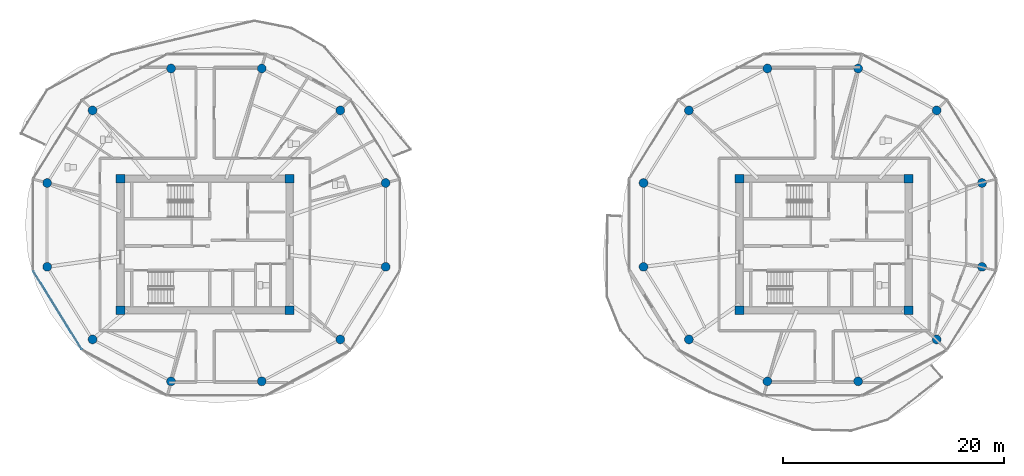
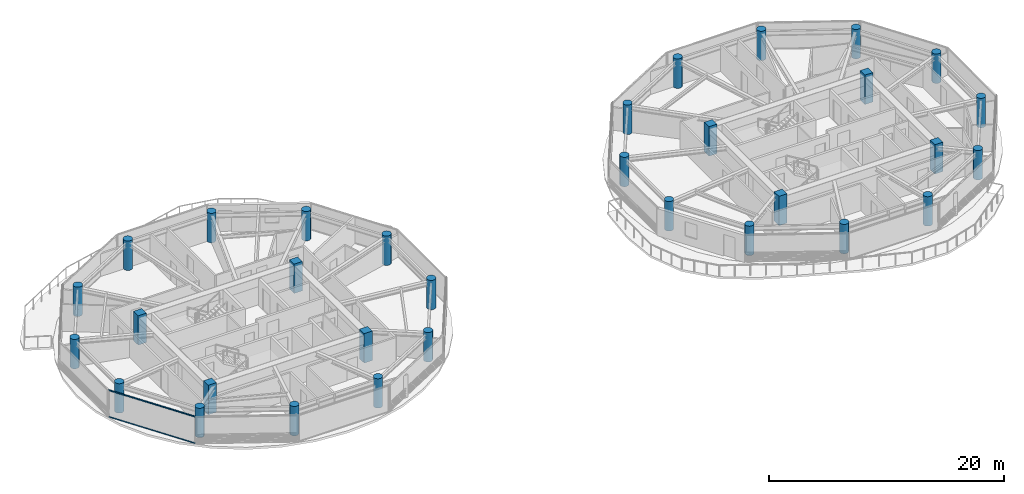
# One storey, part 1 of 21: 32 columns, 2 members, 1 element without a shape of its own.
"""IFC4 building model written with IfcOpenShell, lengths in metres."""

import ifcopenshell
import ifcopenshell.guid

model = None  # the IFC model being written
_history = None  # IfcOwnerHistory: only IFC2X3 demands one
_inside = {}  # id of a spatial element -> (the spatial element, [elements in it])
_under = {}  # id of a project, library or spatial element -> (it, [spatial elements below it])
_declared = {}  # id of a project -> (the project, [libraries it declares])
_typed = {}  # id of a type object -> (the type object, [elements of that type])
_made_of = {}  # id of a material, layer set ... -> (it, [elements and type objects made of it])


def new_model(schema):
    """Start an empty IFC model of exactly this schema.

    Asked for "IFC4X3", IfcOpenShell would pick the latest addendum, in which some entities
    have other attributes; the version numbers below select the first issue.
    IFC2X3 requires an IfcOwnerHistory on every rooted entity: one is made here for all.
    """
    global model, _history
    if schema == "IFC4X3":
        model = ifcopenshell.file(schema_version=(4, 3, 0, 0))
    else:
        model = ifcopenshell.file(schema=schema)
    _inside.clear()
    _under.clear()
    _declared.clear()
    _typed.clear()
    _made_of.clear()
    _history = None
    if model.schema == "IFC2X3":
        org = make("IfcOrganization", Name="unknown")
        user = make(
            "IfcPersonAndOrganization",
            ThePerson=make("IfcPerson", FamilyName="unknown"),
            TheOrganization=org,
        )
        app = make(
            "IfcApplication",
            ApplicationDeveloper=org,
            Version="unknown",
            ApplicationFullName="unknown",
            ApplicationIdentifier="unknown",
        )
        _history = make(
            "IfcOwnerHistory",
            OwningUser=user,
            OwningApplication=app,
            ChangeAction="ADDED",
            CreationDate=0,
        )
    return model


def make(cls, **values):
    """One entity of the class cls with the attributes given. An attribute that is None is left unset."""
    return model.create_entity(
        cls, **{name: value for name, value in values.items() if value is not None}
    )


def rooted(cls, **values):
    """An entity with a GlobalId (a new one), such as an element, a storey or a relation."""
    return make(cls, GlobalId=ifcopenshell.guid.new(), OwnerHistory=_history, **values)


def si_unit(unit_type, name, prefix=None):
    """IfcSIUnit, for example si_unit("LENGTHUNIT", "METRE", prefix="MILLI")."""
    return make("IfcSIUnit", UnitType=unit_type, Prefix=prefix, Name=name)


def assignment(units):
    """IfcUnitAssignment: the units of a project."""
    return None if units is None else make("IfcUnitAssignment", Units=units)


def point(xyz):
    """IfcCartesianPoint."""
    return None if xyz is None else make("IfcCartesianPoint", Coordinates=xyz)


def direction(xyz):
    """IfcDirection."""
    return None if xyz is None else make("IfcDirection", DirectionRatios=xyz)


def frame(location, z_axis=None, x_axis=None):
    """IfcAxis2Placement3D, a coordinate frame: its origin and axes. An axis left out is left unset."""
    return make(
        "IfcAxis2Placement3D",
        Location=point(location),
        Axis=direction(z_axis),
        RefDirection=direction(x_axis),
    )


def frame_2d(location, x_axis=None):
    """IfcAxis2Placement2D, a coordinate frame in the plane: its origin and x axis."""
    return make(
        "IfcAxis2Placement2D", Location=point(location), RefDirection=direction(x_axis)
    )


def origin():
    """The frame at (0, 0, 0) with its axes left unset."""
    return frame((0.0, 0.0, 0.0))


def origin_2d():
    """The frame at (0, 0) in the plane with its x axis left unset."""
    return frame_2d((0.0, 0.0))


def place(relative_to, where):
    """IfcLocalPlacement: puts the frame where relative to a parent placement (None: the world)."""
    return make(
        "IfcLocalPlacement", PlacementRelTo=relative_to, RelativePlacement=where
    )


def context(
    kind, dimensions, precision=None, world=None, true_north=None, identifier=None
):
    """IfcGeometricRepresentationContext, for example the 3D "Model" context."""
    return make(
        "IfcGeometricRepresentationContext",
        ContextIdentifier=identifier,
        ContextType=kind,
        CoordinateSpaceDimension=dimensions,
        Precision=precision,
        WorldCoordinateSystem=world,
        TrueNorth=true_north,
    )


def subcontext(parent, identifier, kind, view, scale=None):
    """IfcGeometricRepresentationSubContext, for example "Body" below "Model"."""
    return make(
        "IfcGeometricRepresentationSubContext",
        ContextIdentifier=identifier,
        ContextType=kind,
        ParentContext=parent,
        TargetScale=scale,
        TargetView=view,
    )


def project(units=None, contexts=None):
    """IfcProject with its units and contexts."""
    return rooted(
        "IfcProject",
        Name="project",
        RepresentationContexts=contexts,
        UnitsInContext=assignment(units),
    )


def spatial(cls, under=None, at=None, **own):
    """A site, building, storey or space (cls), placed at a placement, below another one or the project."""
    s = rooted(cls, ObjectPlacement=at, **own)
    if under is not None:
        _under.setdefault(under.id(), (under, []))[1].append(s)
    return s


def profile(cls, at=None, kind="AREA", **sizes):
    """A parametric profile (cls). Its sizes go by their IFC names, for example OverallWidth=200.0."""
    return make(cls, ProfileType=kind, Position=at, **sizes)


def rectangle(**sizes):
    """IfcRectangleProfileDef."""
    return profile("IfcRectangleProfileDef", **sizes)


def circle(**sizes):
    """IfcCircleProfileDef."""
    return profile("IfcCircleProfileDef", **sizes)


def extrude(swept, where, along, depth):
    """IfcExtrudedAreaSolid: the profile swept, set in the frame where, extruded along a direction by depth."""
    return make(
        "IfcExtrudedAreaSolid",
        SweptArea=swept,
        Position=where,
        ExtrudedDirection=direction(along),
        Depth=depth,
    )


def shape(context_of_items, identifier, shape_type, items):
    """IfcShapeRepresentation: the items that make up one representation, for example the "Body"."""
    return make(
        "IfcShapeRepresentation",
        ContextOfItems=context_of_items,
        RepresentationIdentifier=identifier,
        RepresentationType=shape_type,
        Items=items,
    )


def source(mapping_origin, context_of_items, identifier, shape_type, items):
    """IfcRepresentationMap: a shape defined once, which mapped items show again and again."""
    return make(
        "IfcRepresentationMap",
        MappingOrigin=mapping_origin,
        MappedRepresentation=shape(context_of_items, identifier, shape_type, items),
    )


def transform(
    local_origin,
    x_axis=None,
    y_axis=None,
    z_axis=None,
    scale=None,
    scale2=None,
    scale3=None,
    uniform=True,
):
    """IfcCartesianTransformationOperator3D, or its non-uniform kind. x_axis, y_axis, z_axis: its Axis1, 2, 3."""
    if uniform:
        return make(
            "IfcCartesianTransformationOperator3D",
            Axis1=direction(x_axis),
            Axis2=direction(y_axis),
            LocalOrigin=point(local_origin),
            Scale=scale,
            Axis3=direction(z_axis),
        )
    return make(
        "IfcCartesianTransformationOperator3DnonUniform",
        Axis1=direction(x_axis),
        Axis2=direction(y_axis),
        LocalOrigin=point(local_origin),
        Scale=scale,
        Axis3=direction(z_axis),
        Scale2=scale2,
        Scale3=scale3,
    )


def mapped(mapping_source, mapping_target):
    """IfcMappedItem: shows the shape of a source again, moved by a transform."""
    return make(
        "IfcMappedItem", MappingSource=mapping_source, MappingTarget=mapping_target
    )


def material(Name=None, Category=None):
    """IfcMaterial."""
    return make("IfcMaterial", Name=Name, Category=Category)


def layer(
    of_material, thickness, ventilated=None, Name=None, Category=None, Priority=None
):
    """IfcMaterialLayer: one layer of a wall or slab, of a material (None: an air gap)."""
    return make(
        "IfcMaterialLayer",
        Material=of_material,
        LayerThickness=thickness,
        IsVentilated=ventilated,
        Name=Name,
        Category=Category,
        Priority=Priority,
    )


def layer_set(layers, Name=None):
    """IfcMaterialLayerSet."""
    return make("IfcMaterialLayerSet", MaterialLayers=layers, LayerSetName=Name)


def material_profile(
    of_material, cross_section, Name=None, Category=None, Priority=None
):
    """IfcMaterialProfile: a cross section and its material."""
    return make(
        "IfcMaterialProfile",
        Name=Name,
        Material=of_material,
        Profile=cross_section,
        Priority=Priority,
        Category=Category,
    )


def profile_set(profiles, Name=None, composite=None):
    """IfcMaterialProfileSet."""
    return make(
        "IfcMaterialProfileSet",
        Name=Name,
        MaterialProfiles=profiles,
        CompositeProfile=composite,
    )


def made_of(thing, what):
    """Note that an element or type object is made of a material, layer set ...; save() writes the relation."""
    if what is not None:
        _made_of.setdefault(what.id(), (what, []))[1].append(thing)
    return thing


def type_object(cls, material=None, **own):
    """A type object (cls), such as IfcWallType, which elements share."""
    return made_of(rooted(cls, **own), material)


def type_shapes(of_type, sources):
    """Give a type object the sources (RepresentationMaps) that its elements show as mapped items."""
    of_type.RepresentationMaps = sources


def element(
    cls,
    number,
    at=None,
    inside=None,
    cuts=None,
    type_object=None,
    material=None,
    context=None,
    identifier="Body",
    shape_type=None,
    held_by="IfcProductDefinitionShape",
    body=None,
    shapes=None,
    **own,
):
    """One element of the class cls, such as IfcWall. Its Tag is "e" and its number.

    at: its placement. inside: the storey or other place that contains it. cuts: it is an
    opening in that element (IfcRelVoidsElement). A single representation is given by context,
    identifier, shape_type and body (its items); several are given by shapes. held_by: the class
    of the entity that holds the representations. save() writes the other relations.
    """
    e = rooted(cls, Tag="e%d" % number, ObjectPlacement=at, **own)
    if body is not None:
        shapes = [shape(context, identifier, shape_type, body)]
    if shapes is not None:
        e.Representation = make(held_by, Representations=shapes)
    if inside is not None:
        _inside.setdefault(inside.id(), (inside, []))[1].append(e)
    if cuts is not None:
        rooted(
            "IfcRelVoidsElement", RelatingBuildingElement=cuts, RelatedOpeningElement=e
        )
    if type_object is not None:
        _typed.setdefault(type_object.id(), (type_object, []))[1].append(e)
    return made_of(e, material)


def aggregate(whole, parts):
    """IfcRelAggregates: a whole, such as a stair, and the parts it consists of."""
    return rooted("IfcRelAggregates", RelatingObject=whole, RelatedObjects=parts)


def save(model, path):
    """Write the relations noted so far, then the file.

    IfcRelAggregates (storeys below a building ...), IfcRelContainedInSpatialStructure (elements
    in a storey), IfcRelDefinesByType, IfcRelAssociatesMaterial and IfcRelDeclares: one each for
    every whole, place, type object, material and project.
    """
    for whole, parts in _under.values():
        aggregate(whole, parts)
    for where, things in _inside.values():
        rooted(
            "IfcRelContainedInSpatialStructure",
            RelatedElements=things,
            RelatingStructure=where,
        )
    for kind, things in _typed.values():
        rooted("IfcRelDefinesByType", RelatedObjects=things, RelatingType=kind)
    for what, things in _made_of.values():
        rooted("IfcRelAssociatesMaterial", RelatedObjects=things, RelatingMaterial=what)
    for by, libraries in _declared.values():
        rooted("IfcRelDeclares", RelatingContext=by, RelatedDefinitions=libraries)
    model.write(path)


model = new_model("IFC4")

# Units and contexts
model_context = context("Model", 3, precision=1e-05, world=origin(), true_north=direction((0.0, 1.0)))
body_context = subcontext(model_context, "Body", "Model", "MODEL_VIEW")
ifc_project = project(units=[si_unit("LENGTHUNIT", "METRE"), si_unit("AREAUNIT", "SQUARE_METRE"), si_unit("VOLUMEUNIT", "CUBIC_METRE"), si_unit("PLANEANGLEUNIT", "RADIAN"), si_unit("MASSUNIT", "GRAM", prefix="KILO")], contexts=[model_context])

# Site, building, storey
site_placement = place(None, origin())
site = spatial("IfcSite", under=ifc_project, at=site_placement, CompositionType="ELEMENT")
building_placement = place(site_placement, origin())
building = spatial("IfcBuilding", under=site, at=building_placement, Name="Norrkilde Senior Care Towers", CompositionType="ELEMENT")
storey_placement = place(building_placement, frame((0.0, 0.0, 146.5)))
storey = spatial("IfcBuildingStorey", under=building, at=storey_placement, Name="L45", CompositionType="ELEMENT", Elevation=146.5)

# Columns
ifc_material_1 = material(Name="Concrete C60/75", Category="concrete")
ifc_material_profile_1 = material_profile(ifc_material_1, rectangle(XDim=0.800048828125, YDim=0.800048828125, at=origin_2d()), Name="RC COL 800x800")
ifc_profile_set_1 = profile_set([ifc_material_profile_1], Name="Concrete C60/75")
column_type_1 = type_object("IfcColumnType", Name="Column Core Corner Z3-Z4 800", PredefinedType="COLUMN", material=ifc_profile_set_1)
shared_shape_1 = source(origin(), body_context, "Body", "SweptSolid", [
    extrude(rectangle(XDim=0.800048828125, YDim=0.800048828125, at=origin_2d()), origin(), (0.0, 0.0, 1.0), 3.050048828125),
])
type_shapes(column_type_1, [shared_shape_1])
for number, where, z_axis, x_axis, name in (
    (1, (-35.64990234375, -5.949951171875, 0.0), (0.0, 0.0, 1.0), (1.0, 0.0, 0.0), "L45 Core W Corner Column 1"),
    (2, (-20.35009765625, -5.949951171875, 0.0), (0.0, 0.0, 1.0), (1.0, 0.0, 0.0), "L45 Core W Corner Column 2"),
    (3, (-20.35009765625, 5.949951171875, 0.0), (0.0, 0.0, 1.0), (1.0, 0.0, 0.0), "L45 Core W Corner Column 3"),
    (4, (-35.64990234375, 5.949951171875, 0.0), (0.0, 0.0, 1.0), (1.0, 0.0, 0.0), "L45 Core W Corner Column 4"),
    (5, (20.35009765625, -5.949951171875, 0.0), (0.0, 0.0, 1.0), (1.0, 0.0, 0.0), "L45 Core E Corner Column 1"),
    (6, (35.64990234375, -5.949951171875, 0.0), (0.0, 0.0, 1.0), (1.0, 0.0, 0.0), "L45 Core E Corner Column 2"),
    (7, (35.64990234375, 5.949951171875, 0.0), (0.0, 0.0, 1.0), (1.0, 0.0, 0.0), "L45 Core E Corner Column 3"),
    (8, (20.35009765625, 5.949951171875, 0.0), (0.0, 0.0, 1.0), (1.0, 0.0, 0.0), "L45 Core E Corner Column 4"),
):
    element("IfcColumn", number, at=place(storey_placement, frame(where, z_axis=z_axis, x_axis=x_axis)), inside=storey, type_object=column_type_1, Name=name, PredefinedType="COLUMN", context=body_context, shape_type="MappedRepresentation", body=[
        mapped(shared_shape_1, transform((0.0, 0.0, 0.0), x_axis=(1.0, 0.0, 0.0), y_axis=(0.0, 1.0, 0.0), z_axis=(0.0, 0.0, 1.0), scale=1.0)),
    ])
ifc_material_2 = material(Name="Concrete C50/60", Category="concrete")
ifc_material_profile_2 = material_profile(ifc_material_2, circle(Radius=0.39990234375, at=origin_2d()), Name="RC CIR 800")
ifc_profile_set_2 = profile_set([ifc_material_profile_2], Name="Concrete C50/60")
column_type_2 = type_object("IfcColumnType", Name="Column Perimeter Z3 800", PredefinedType="COLUMN", material=ifc_profile_set_2)
shared_shape_2 = source(origin(), body_context, "Body", "SweptSolid", [
    extrude(circle(Radius=0.39990234375, at=origin_2d()), origin(), (0.0, 0.0, 1.0), 3.050048828125),
])
type_shapes(column_type_2, [shared_shape_2])
for number, where, z_axis, x_axis, name in (
    (9, (-11.6650390625, 5.567138671875, 0.0), (0.0, 0.0, 1.0), (1.0, 0.0, 0.0), "L45 Drum W Perimeter Column 01"),
    (10, (-15.767333984375, 12.134521484375, 0.0), (0.0, 0.0, 1.0), (1.0, 0.0, 0.0), "L45 Drum W Perimeter Column 02"),
    (11, (-22.872802734375, 15.92626953125, 0.0), (0.0, 0.0, 1.0), (1.0, 0.0, 0.0), "L45 Drum W Perimeter Column 03"),
    (12, (-31.077392578125, 15.92626953125, 0.0), (0.0, 0.0, 1.0), (1.0, 0.0, 0.0), "L45 Drum W Perimeter Column 04"),
    (13, (-38.1826171875, 12.134521484375, 0.0), (0.0, 0.0, 1.0), (1.0, 0.0, 0.0), "L45 Drum W Perimeter Column 05"),
    (14, (-42.284912109375, 5.567138671875, 0.0), (0.0, 0.0, 1.0), (1.0, 0.0, 0.0), "L45 Drum W Perimeter Column 06"),
    (15, (-42.284912109375, -2.016357421875, 0.0), (0.0, 0.0, 1.0), (1.0, 0.0, 0.0), "L45 Drum W Perimeter Column 07"),
    (16, (-38.1826171875, -8.583740234375, 0.0), (0.0, 0.0, 1.0), (1.0, 0.0, 0.0), "L45 Drum W Perimeter Column 08"),
    (17, (-31.077392578125, -12.37548828125, 0.0), (0.0, 0.0, 1.0), (1.0, 0.0, 0.0), "L45 Drum W Perimeter Column 09"),
    (18, (-22.872802734375, -12.37548828125, 0.0), (0.0, 0.0, 1.0), (1.0, 0.0, 0.0), "L45 Drum W Perimeter Column 10"),
    (19, (-15.767333984375, -8.583740234375, 0.0), (0.0, 0.0, 1.0), (1.0, 0.0, 0.0), "L45 Drum W Perimeter Column 11"),
    (20, (-11.6650390625, -2.016357421875, 0.0), (0.0, 0.0, 1.0), (1.0, 0.0, 0.0), "L45 Drum W Perimeter Column 12"),
    (21, (42.284912109375, 5.567138671875, 0.0), (0.0, 0.0, 1.0), (1.0, 0.0, 0.0), "L45 Drum E Perimeter Column 01"),
    (22, (38.1826171875, 12.134521484375, 0.0), (0.0, 0.0, 1.0), (1.0, 0.0, 0.0), "L45 Drum E Perimeter Column 02"),
    (23, (31.077392578125, 15.92626953125, 0.0), (0.0, 0.0, 1.0), (1.0, 0.0, 0.0), "L45 Drum E Perimeter Column 03"),
    (24, (22.872802734375, 15.92626953125, 0.0), (0.0, 0.0, 1.0), (1.0, 0.0, 0.0), "L45 Drum E Perimeter Column 04"),
    (25, (15.767333984375, 12.134521484375, 0.0), (0.0, 0.0, 1.0), (1.0, 0.0, 0.0), "L45 Drum E Perimeter Column 05"),
    (26, (11.6650390625, 5.567138671875, 0.0), (0.0, 0.0, 1.0), (1.0, 0.0, 0.0), "L45 Drum E Perimeter Column 06"),
    (27, (11.6650390625, -2.016357421875, 0.0), (0.0, 0.0, 1.0), (1.0, 0.0, 0.0), "L45 Drum E Perimeter Column 07"),
    (28, (15.767333984375, -8.583740234375, 0.0), (0.0, 0.0, 1.0), (1.0, 0.0, 0.0), "L45 Drum E Perimeter Column 08"),
    (29, (22.872802734375, -12.37548828125, 0.0), (0.0, 0.0, 1.0), (1.0, 0.0, 0.0), "L45 Drum E Perimeter Column 09"),
    (30, (31.077392578125, -12.37548828125, 0.0), (0.0, 0.0, 1.0), (1.0, 0.0, 0.0), "L45 Drum E Perimeter Column 10"),
    (31, (38.1826171875, -8.583740234375, 0.0), (0.0, 0.0, 1.0), (1.0, 0.0, 0.0), "L45 Drum E Perimeter Column 11"),
    (32, (42.284912109375, -2.016357421875, 0.0), (0.0, 0.0, 1.0), (1.0, 0.0, 0.0), "L45 Drum E Perimeter Column 12"),
):
    element("IfcColumn", number, at=place(storey_placement, frame(where, z_axis=z_axis, x_axis=x_axis)), inside=storey, type_object=column_type_2, Name=name, PredefinedType="COLUMN", context=body_context, shape_type="MappedRepresentation", body=[
        mapped(shared_shape_2, transform((0.0, 0.0, 0.0), x_axis=(1.0, 0.0, 0.0), y_axis=(0.0, 1.0, 0.0), z_axis=(0.0, 0.0, 1.0), scale=1.0)),
    ])

# Curtain wall, members
ifc_material_3 = material(Name="Triple Low-E Insulated Glazing", Category="glass")
ifc_layer = layer(ifc_material_3, 0.18994140625)
ifc_layer_set = layer_set([ifc_layer], Name="Triple Low-E Insulated Glazing")
curtain_wall_type = type_object("IfcCurtainWallType", Name="CW4 Zone 3 Senior Residence Curtain Wall", PredefinedType="NOTDEFINED", material=ifc_layer_set)
curtain_wall_placement = place(storey_placement, origin())
curtain_wall = element("IfcCurtainWall", 33, at=curtain_wall_placement, inside=storey, type_object=curtain_wall_type, Name="L45 Drum W Curtain Wall 06", PredefinedType="NOTDEFINED")
ifc_material_4 = material(Name="Anodised Aluminium", Category="aluminium")
ifc_material_profile_3 = material_profile(ifc_material_4, rectangle(XDim=0.06005859375, YDim=0.1201171875, at=origin_2d()), Name="ALU TRAN 60x120")
ifc_profile_set_3 = profile_set([ifc_material_profile_3], Name="Anodised Aluminium")
member_type = type_object("IfcMemberType", Name="Curtain Wall Transom Typical 60x120", PredefinedType="USERDEFINED", material=ifc_profile_set_3)
shared_shape_3 = source(origin(), body_context, "Body", "SweptSolid", [
    extrude(rectangle(XDim=0.06005859375, YDim=0.1201171875, at=origin_2d()), origin(), (0.0, 0.0, 1.0), 8.301513671875),
])
type_shapes(member_type, [shared_shape_3])
member_1_placement = place(storey_placement, frame((-39.157470703125, -9.468994140625, 0.030029296875), z_axis=(-0.527368718394, 0.849636531029, 0.0), x_axis=(-0.849636531029, -0.527368718394, 0.0)))
member_1 = element("IfcMember", 34, at=member_1_placement, type_object=member_type, Name="CW-4 transom 1.1", ObjectType="TRANSOM", PredefinedType="USERDEFINED", context=body_context, shape_type="MappedRepresentation", body=[
    mapped(shared_shape_3, transform((0.0, 0.0, 0.0), x_axis=(1.0, 0.0, 0.0), y_axis=(0.0, 1.0, 0.0), z_axis=(0.0, 0.0, 1.0), scale=1.0)),
])
member_2_placement = place(storey_placement, frame((-39.157470703125, -9.468994140625, 2.780029296875), z_axis=(-0.527368718394, 0.849636531029, 0.0), x_axis=(-0.849636531029, -0.527368718394, 0.0)))
member_2 = element("IfcMember", 35, at=member_2_placement, type_object=member_type, Name="CW-4 transom 1.2", ObjectType="TRANSOM", PredefinedType="USERDEFINED", context=body_context, shape_type="MappedRepresentation", body=[
    mapped(shared_shape_3, transform((0.0, 0.0, 0.0), x_axis=(1.0, 0.0, 0.0), y_axis=(0.0, 1.0, 0.0), z_axis=(0.0, 0.0, 1.0), scale=1.0)),
])
aggregate(curtain_wall, [member_1, member_2])

save(model, "model.ifc")
